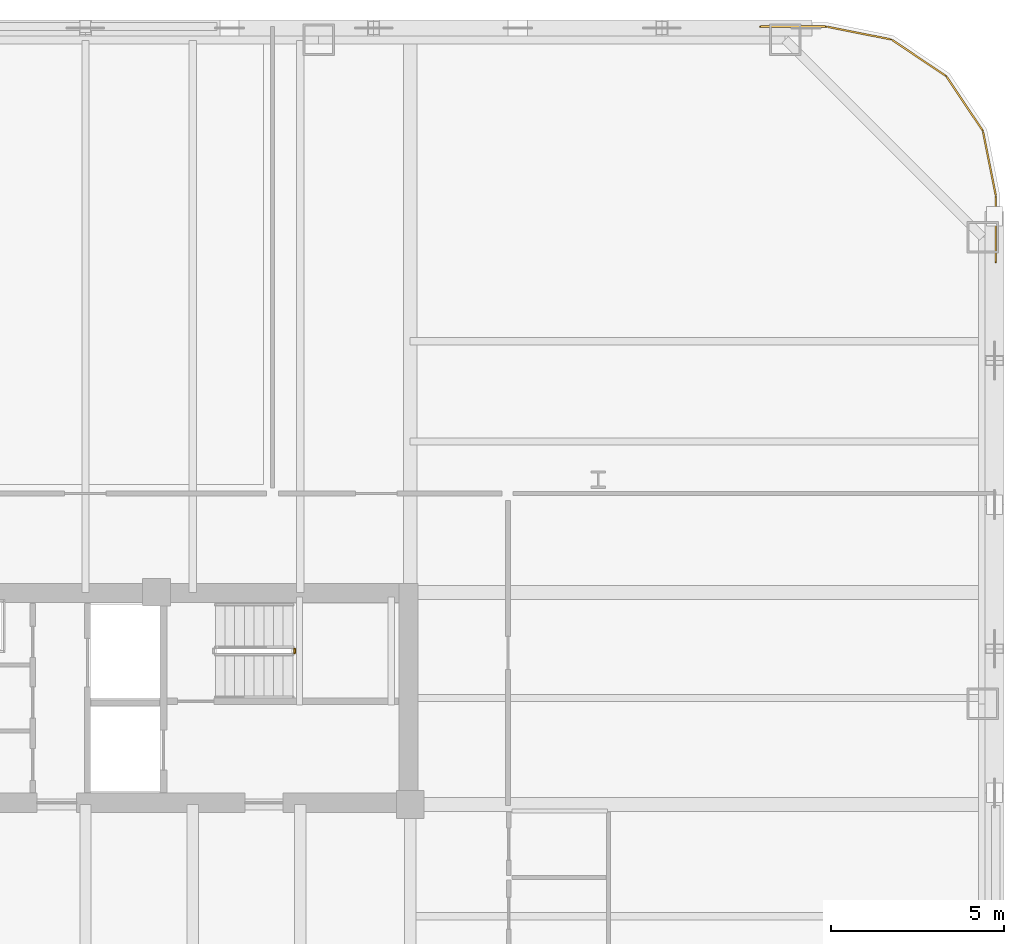
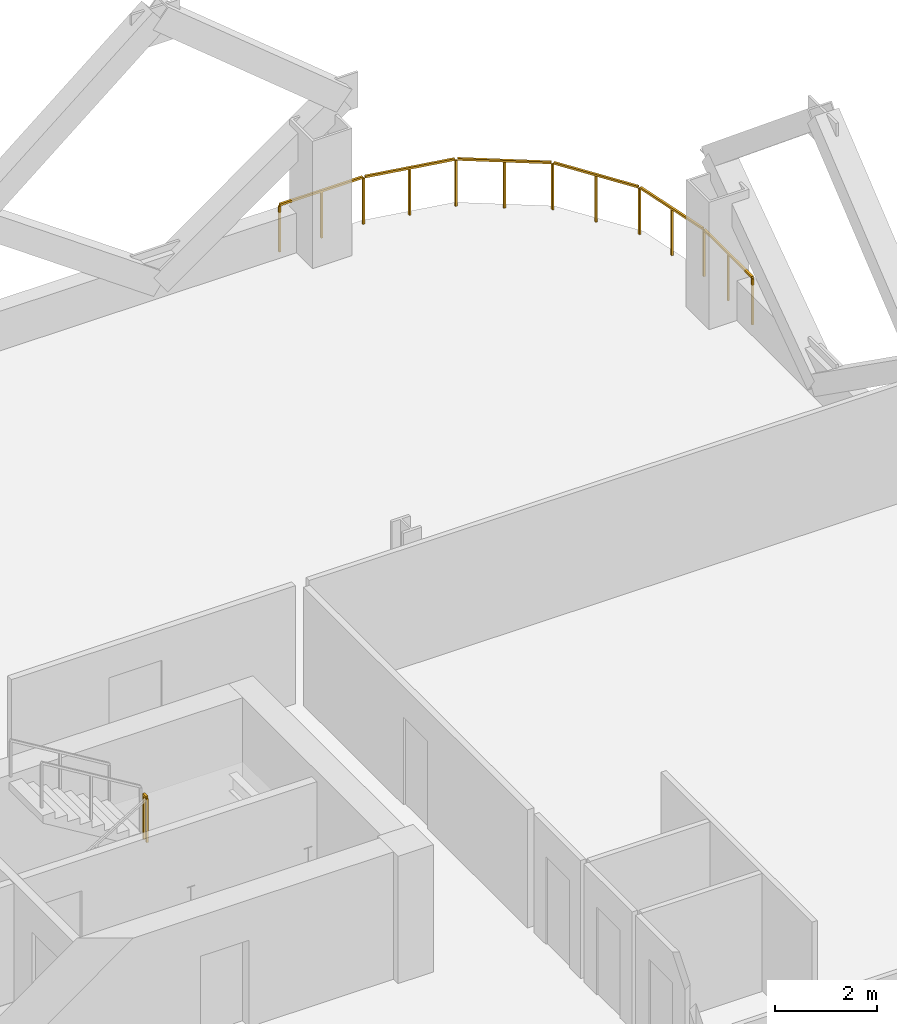
# One storey, part 12 of 12: 2 railings.
"""IFC4 building model written with IfcOpenShell, lengths in metres."""

from ifc_helpers import new_model, si_unit, direction, frame, origin, origin_2d, place, context, subcontext, project, spatial, rectangle, extrude, material, type_object, element, save


model = new_model("IFC4")

# Units and contexts
model_context = context("Model", 3, precision=1e-05, world=origin(), true_north=direction((0.0, 1.0)))
body_context = subcontext(model_context, "Body", "Model", "MODEL_VIEW")
ifc_project = project(units=[si_unit("LENGTHUNIT", "METRE"), si_unit("AREAUNIT", "SQUARE_METRE"), si_unit("VOLUMEUNIT", "CUBIC_METRE"), si_unit("PLANEANGLEUNIT", "RADIAN"), si_unit("MASSUNIT", "GRAM", prefix="KILO")], contexts=[model_context])

# Site, building, storey
site_placement = place(None, origin())
site = spatial("IfcSite", under=ifc_project, at=site_placement, CompositionType="ELEMENT")
building_placement = place(site_placement, origin())
building = spatial("IfcBuilding", under=site, at=building_placement, Name="Qhalaya Broadcast Tower", CompositionType="ELEMENT")
storey_placement = place(building_placement, frame((0.0, 0.0, 50.5)))
storey = spatial("IfcBuildingStorey", under=building, at=storey_placement, Name="L14", CompositionType="ELEMENT", Elevation=50.5)

# Railings
ifc_material = material(Name="Powder-Coated Galvanised Steel", Category="steel")
railing_type_1 = type_object("IfcRailingType", Name="Stair Well & Landing Guardrail 1100", PredefinedType="GUARDRAIL", material=ifc_material)
railing_1_placement = place(storey_placement, frame((6.0400390625, 8.199951171875, 1.52490234375)))
element("IfcRailing", 1, at=railing_1_placement, inside=storey, type_object=railing_type_1, Name="L14 ST-1 Stair Guard 2", PredefinedType="GUARDRAIL", context=body_context, shape_type="SweptSolid", body=[
    extrude(rectangle(XDim=0.048095703125, YDim=0.048095703125, at=origin_2d()), frame((0.0, 0.0, 1.076171875), z_axis=(0.0, 1.0, 0.0), x_axis=(-1.0, 0.0, 0.0)), (0.0, 0.0, 1.0), 0.1201171875),
    extrude(rectangle(XDim=0.0419921875, YDim=0.0419921875, at=origin_2d()), origin(), (0.0, 0.0, 1.0), 1.050048828125),
    extrude(rectangle(XDim=0.0419921875, YDim=0.0419921875, at=origin_2d()), frame((0.0, 0.1201171875, 0.0)), (0.0, 0.0, 1.0), 1.050048828125),
])
railing_type_2 = type_object("IfcRailingType", Name="Terrace, Sky-Pool & Lookout Glass Balustrade 1150", PredefinedType="BALUSTRADE", material=ifc_material)
railing_2_placement = place(storey_placement, frame((19.48193359375, 26.280029296875, 0.0)))
element("IfcRailing", 2, at=railing_2_placement, inside=storey, type_object=railing_type_2, Name="L14 Rounded Corner Perimeter Guard 04", PredefinedType="BALUSTRADE", context=body_context, shape_type="SweptSolid", body=[
    extrude(rectangle(XDim=0.048095703125, YDim=0.048095703125, at=origin_2d()), frame((0.0, 0.0, 1.1259765625), z_axis=(1.0, 0.0, 0.0), x_axis=(0.0, 1.0, 0.0)), (0.0, 0.0, 1.0), 1.87744140625),
    extrude(rectangle(XDim=0.048095703125, YDim=0.048095703125, at=origin_2d()), frame((1.9345703125, -0.005615234375, 1.1259765625), z_axis=(0.980795810058, -0.195037378397, 0.0), x_axis=(0.195037378397, 0.980795810058, 0.0)), (0.0, 0.0, 1.0), 1.857421875),
    extrude(rectangle(XDim=0.048095703125, YDim=0.048095703125, at=origin_2d()), frame((3.80859375, -0.3896484375, 1.1259765625), z_axis=(0.831477548332, -0.555558355728, 0.0), x_axis=(0.555558355728, 0.831477548332, 0.0)), (0.0, 0.0, 1.0), 1.845458984375),
    extrude(rectangle(XDim=0.048095703125, YDim=0.048095703125, at=origin_2d()), frame((5.38330078125, -1.454833984375, 1.1259765625), z_axis=(0.555558355728, -0.831477548332, 0.0), x_axis=(0.831477548332, 0.555558355728, 0.0)), (0.0, 0.0, 1.0), 1.845458984375),
    extrude(rectangle(XDim=0.048095703125, YDim=0.048095703125, at=origin_2d()), frame((6.43017578125, -3.041748046875, 1.1259765625), z_axis=(0.195037378397, -0.980795810058, 0.0), x_axis=(0.980795810058, 0.195037378397, 0.0)), (0.0, 0.0, 1.0), 1.857421875),
    extrude(rectangle(XDim=0.048095703125, YDim=0.048095703125, at=origin_2d()), frame((6.798095703125, -4.920654296875, 1.1259765625), z_axis=(0.0, -1.0, 0.0), x_axis=(1.0, 0.0, 0.0)), (0.0, 0.0, 1.0), 1.87744140625),
    extrude(rectangle(XDim=0.0419921875, YDim=0.0419921875, at=origin_2d()), origin(), (0.0, 0.0, 1.0), 1.099853515625),
    extrude(rectangle(XDim=0.0419921875, YDim=0.0419921875, at=origin_2d()), frame((0.953125, 0.0, 0.0)), (0.0, 0.0, 1.0), 1.099853515625),
    extrude(rectangle(XDim=0.0419921875, YDim=0.0419921875, at=origin_2d()), frame((1.90625, 0.0, 0.0)), (0.0, 0.0, 1.0), 1.099853515625),
    extrude(rectangle(XDim=0.0419921875, YDim=0.0419921875, at=origin_2d()), frame((2.845458984375, -0.186767578125, 0.0)), (0.0, 0.0, 1.0), 1.099853515625),
    extrude(rectangle(XDim=0.0419921875, YDim=0.0419921875, at=origin_2d()), frame((3.78466796875, -0.37353515625, 0.0)), (0.0, 0.0, 1.0), 1.099853515625),
    extrude(rectangle(XDim=0.0419921875, YDim=0.0419921875, at=origin_2d()), frame((4.575927734375, -0.90234375, 0.0)), (0.0, 0.0, 1.0), 1.099853515625),
    extrude(rectangle(XDim=0.0419921875, YDim=0.0419921875, at=origin_2d()), frame((5.3671875, -1.430908203125, 0.0)), (0.0, 0.0, 1.0), 1.099853515625),
    extrude(rectangle(XDim=0.0419921875, YDim=0.0419921875, at=origin_2d()), frame((5.89599609375, -2.22216796875, 0.0)), (0.0, 0.0, 1.0), 1.099853515625),
    extrude(rectangle(XDim=0.0419921875, YDim=0.0419921875, at=origin_2d()), frame((6.424560546875, -3.013427734375, 0.0)), (0.0, 0.0, 1.0), 1.099853515625),
    extrude(rectangle(XDim=0.0419921875, YDim=0.0419921875, at=origin_2d()), frame((6.611328125, -3.95263671875, 0.0)), (0.0, 0.0, 1.0), 1.099853515625),
    extrude(rectangle(XDim=0.0419921875, YDim=0.0419921875, at=origin_2d()), frame((6.798095703125, -4.891845703125, 0.0)), (0.0, 0.0, 1.0), 1.099853515625),
    extrude(rectangle(XDim=0.0419921875, YDim=0.0419921875, at=origin_2d()), frame((6.798095703125, -5.844970703125, 0.0)), (0.0, 0.0, 1.0), 1.099853515625),
    extrude(rectangle(XDim=0.0419921875, YDim=0.0419921875, at=origin_2d()), frame((6.798095703125, -6.798095703125, 0.0)), (0.0, 0.0, 1.0), 1.099853515625),
])

save(model, "model.ifc")
